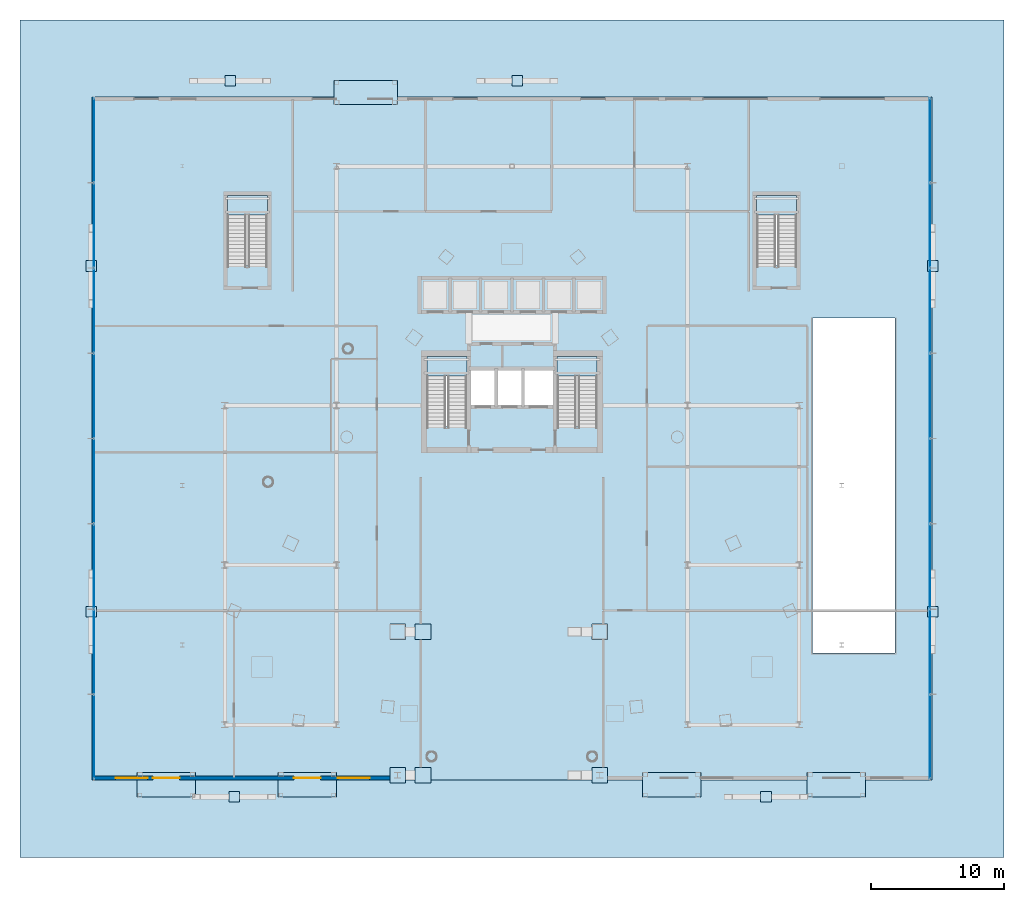
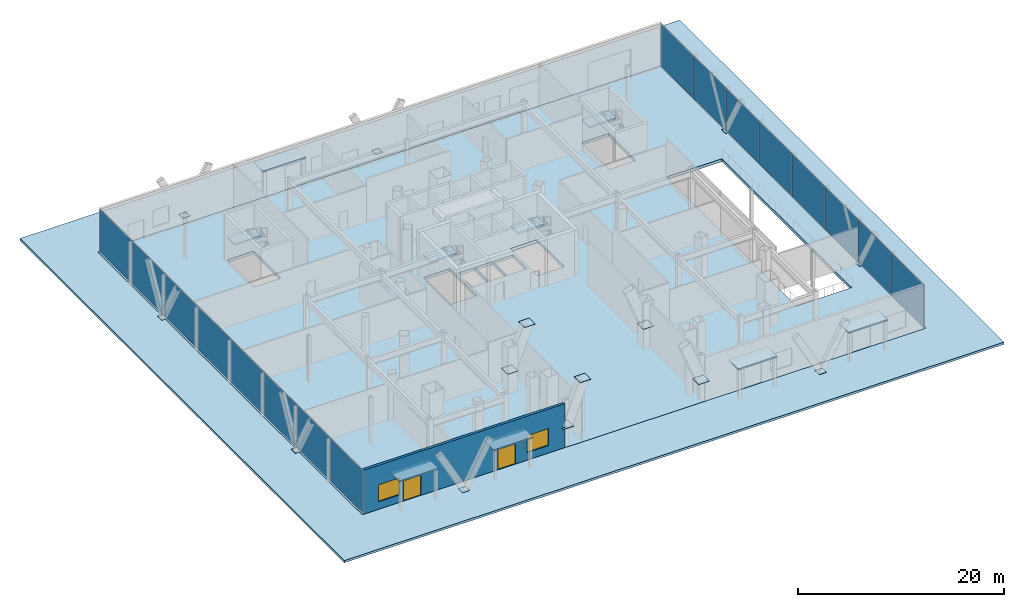
# One storey, part 26 of 38: 30 plates, 11 slabs, 2 doors, 2 windows, 1 wall, 4 openings, 6 elements without a shape of their own.
"""IFC4 building model written with IfcOpenShell, lengths in metres."""

from ifc_helpers import new_model, si_unit, direction, frame, frame_2d, origin, origin_2d, place, context, subcontext, project, spatial, polyline, rectangle, outline, extrude, material, layer, layer_set, type_object, element, fill, aggregate, save


model = new_model("IFC4")

# Units and contexts
model_context = context("Model", 3, precision=1e-05, world=origin(), true_north=direction((0.0, 1.0)))
body_context = subcontext(model_context, "Body", "Model", "MODEL_VIEW")
ifc_project = project(units=[si_unit("LENGTHUNIT", "METRE"), si_unit("AREAUNIT", "SQUARE_METRE"), si_unit("VOLUMEUNIT", "CUBIC_METRE"), si_unit("PLANEANGLEUNIT", "RADIAN"), si_unit("MASSUNIT", "GRAM", prefix="KILO")], contexts=[model_context])

# Site, building, storey
site_placement = place(None, origin())
site = spatial("IfcSite", under=ifc_project, at=site_placement, CompositionType="ELEMENT")
building_placement = place(site_placement, origin())
building = spatial("IfcBuilding", under=site, at=building_placement, Name="Orvanel Arch Residences", CompositionType="ELEMENT")
storey_placement = place(building_placement, origin())
storey = spatial("IfcBuildingStorey", under=building, at=storey_placement, Name="L00", CompositionType="ELEMENT", Elevation=0.0)

# Slabs
ifc_material_1 = material(Name="Bronze-anodised aluminium AA6063-T6", Category="aluminium")
ifc_layer_1 = layer(ifc_material_1, 0.179931640625)
ifc_layer_set_1 = layer_set([ifc_layer_1], Name="Bronze-anodised aluminium AA6063-T6")
slab_type_1 = type_object("IfcSlabType", Name="CNP-BRZ-180", PredefinedType="ROOF", material=ifc_layer_set_1)
slab_1_placement = place(storey_placement, frame((0.0, 0.0, 3.39990234375)))
element("IfcSlab", 1, at=slab_1_placement, inside=storey, type_object=slab_type_1, Name="L00 Entrance Bronze Weather Canopy 01", PredefinedType="ROOF", context=body_context, shape_type="SweptSolid", body=[
    extrude(outline(polyline([(4.800048828125, 0.550048828125), (9.199951171875, 0.550048828125), (9.199951171875, 2.39990234375), (4.800048828125, 2.39990234375), (4.800048828125, 0.550048828125)])), origin(), (0.0, 0.0, 1.0), 0.18017578125),
])
slab_2_placement = place(storey_placement, frame((0.0, 0.0, 3.39990234375)))
element("IfcSlab", 2, at=slab_2_placement, inside=storey, type_object=slab_type_1, Name="L00 Entrance Bronze Weather Canopy 02", PredefinedType="ROOF", context=body_context, shape_type="SweptSolid", body=[
    extrude(outline(polyline([(15.39990234375, 0.550048828125), (19.800048828125, 0.550048828125), (19.800048828125, 2.39990234375), (15.39990234375, 2.39990234375), (15.39990234375, 0.550048828125)])), origin(), (0.0, 0.0, 1.0), 0.18017578125),
])
slab_3_placement = place(storey_placement, frame((0.0, 0.0, 3.39990234375)))
element("IfcSlab", 3, at=slab_3_placement, inside=storey, type_object=slab_type_1, Name="L00 Entrance Bronze Weather Canopy 03", PredefinedType="ROOF", context=body_context, shape_type="SweptSolid", body=[
    extrude(outline(polyline([(42.800048828125, 0.550048828125), (47.199951171875, 0.550048828125), (47.199951171875, 2.39990234375), (42.800048828125, 2.39990234375), (42.800048828125, 0.550048828125)])), origin(), (0.0, 0.0, 1.0), 0.18017578125),
])
slab_4_placement = place(storey_placement, frame((0.0, 0.0, 3.39990234375)))
element("IfcSlab", 4, at=slab_4_placement, inside=storey, type_object=slab_type_1, Name="L00 Entrance Bronze Weather Canopy 04", PredefinedType="ROOF", context=body_context, shape_type="SweptSolid", body=[
    extrude(outline(polyline([(55.199951171875, 0.550048828125), (59.60009765625, 0.550048828125), (59.60009765625, 2.39990234375), (55.199951171875, 2.39990234375), (55.199951171875, 0.550048828125)])), origin(), (0.0, 0.0, 1.0), 0.18017578125),
])
slab_5_placement = place(storey_placement, frame((0.0, 0.0, 3.39990234375)))
element("IfcSlab", 5, at=slab_5_placement, inside=storey, type_object=slab_type_1, Name="L00 Entrance Bronze Weather Canopy 05", PredefinedType="ROOF", context=body_context, shape_type="SweptSolid", body=[
    extrude(outline(polyline([(19.60009765625, 52.64990234375), (24.39990234375, 52.64990234375), (24.39990234375, 54.449951171875), (19.60009765625, 54.449951171875), (19.60009765625, 52.64990234375)])), origin(), (0.0, 0.0, 1.0), 0.18017578125),
])

# Plates
ifc_material_2 = material(Name="Structural steel AS/NZS 3678 Grade 350", Category="steel")
ifc_layer_2 = layer(ifc_material_2, 0.028076171875)
ifc_layer_set_2 = layer_set([ifc_layer_2], Name="Structural steel AS/NZS 3678 Grade 350")
plate_type_1 = type_object("IfcPlateType", Name="PL-CAP-28", PredefinedType="SHEET", material=ifc_layer_set_2)
for number, where, z_axis, x_axis, name in (
    (6, (24.39990234375, 13.0, 2.3857421875), (0.0, 0.0, 1.0), (1.0, 0.0, 0.0), "L00 hollow member end cap plate"),
    (7, (26.300048828125, 13.0, 7.26416015625), (0.0, 0.0, 1.0), (1.0, 0.0, 0.0), "L00 hollow member end cap plate"),
    (8, (39.60009765625, 13.0, 2.3857421875), (0.0, 0.0, 1.0), (1.0, 0.0, 0.0), "L00 hollow member end cap plate"),
):
    element("IfcPlate", number, at=place(storey_placement, frame(where, z_axis=z_axis, x_axis=x_axis)), inside=storey, type_object=plate_type_1, Name=name, PredefinedType="SHEET", context=body_context, shape_type="SweptSolid", body=[
        extrude(rectangle(XDim=1.179931640625, YDim=1.179931640625, at=origin_2d()), origin(), (0.0, 0.0, 1.0), 0.028076171875),
    ])
ifc_layer_3 = layer(ifc_material_2, 0.031982421875)
ifc_layer_set_3 = layer_set([ifc_layer_3], Name="Structural steel AS/NZS 3678 Grade 350")
plate_type_2 = type_object("IfcPlateType", Name="PL-CAP-32", PredefinedType="SHEET", material=ifc_layer_set_3)
for number, where, z_axis, x_axis, name in (
    (9, (24.39990234375, 2.199951171875, 2.3837890625), (0.0, 0.0, 1.0), (1.0, 0.0, 0.0), "L00 hollow member end cap plate"),
    (10, (26.300048828125, 2.199951171875, 7.26220703125), (0.0, 0.0, 1.0), (1.0, 0.0, 0.0), "L00 hollow member end cap plate"),
    (11, (39.60009765625, 2.199951171875, 2.3837890625), (0.0, 0.0, 1.0), (1.0, 0.0, 0.0), "L00 hollow member end cap plate"),
):
    element("IfcPlate", number, at=place(storey_placement, frame(where, z_axis=z_axis, x_axis=x_axis)), inside=storey, type_object=plate_type_2, Name=name, PredefinedType="SHEET", context=body_context, shape_type="SweptSolid", body=[
        extrude(rectangle(XDim=1.179931640625, YDim=1.179931640625, at=origin_2d()), origin(), (0.0, 0.0, 1.0), 0.031982421875),
    ])
for number, where, z_axis, x_axis, name in (
    (12, (12.10009765625, 0.580078125, -0.01611328125), (0.0, 0.0, 1.0), (1.0, 0.0, 0.0), "L00 hollow member end cap plate"),
    (13, (52.10009765625, 0.580078125, -0.01611328125), (0.0, 0.0, 1.0), (1.0, 0.0, 0.0), "L00 hollow member end cap plate"),
    (14, (1.360107421875, 14.5, -0.01611328125), (0.0, 0.0, 1.0), (0.0, 1.0, 0.0), "L00 hollow member end cap plate"),
    (15, (1.360107421875, 40.5, -0.01611328125), (0.0, 0.0, 1.0), (0.0, 1.0, 0.0), "L00 hollow member end cap plate"),
    (16, (64.639892578125, 14.5, -0.01611328125), (0.0, 0.0, 1.0), (0.0, 1.0, 0.0), "L00 hollow member end cap plate"),
    (17, (64.639892578125, 40.5, -0.01611328125), (0.0, 0.0, 1.0), (0.0, 1.0, 0.0), "L00 hollow member end cap plate"),
    (18, (11.800048828125, 54.419921875, -0.01611328125), (0.0, 0.0, 1.0), (1.0, 0.0, 0.0), "L00 hollow member end cap plate"),
    (19, (33.39990234375, 54.419921875, -0.01611328125), (0.0, 0.0, 1.0), (1.0, 0.0, 0.0), "L00 hollow member end cap plate"),
):
    element("IfcPlate", number, at=place(storey_placement, frame(where, z_axis=z_axis, x_axis=x_axis)), inside=storey, type_object=plate_type_2, Name=name, PredefinedType="SHEET", context=body_context, shape_type="SweptSolid", body=[
        extrude(rectangle(XDim=0.800048828125, YDim=0.800048828125, at=origin_2d()), origin(), (0.0, 0.0, 1.0), 0.031982421875),
    ])

# Curtain wall, plates
ifc_layer_4 = layer(ifc_material_1, 0.199951171875)
ifc_layer_set_4 = layer_set([ifc_layer_4], Name="Bronze-anodised aluminium AA6063-T6")
curtain_wall_type = type_object("IfcCurtainWallType", Name="CW1-POD-SYS", PredefinedType="NOTDEFINED", material=ifc_layer_set_4)
curtain_wall_1_placement = place(storey_placement, origin())
curtain_wall_1 = element("IfcCurtainWall", 20, at=curtain_wall_1_placement, inside=storey, type_object=curtain_wall_type, Name="L00 CW1-POD-SYS Unitised Curtain Wall", PredefinedType="NOTDEFINED")
ifc_material_3 = material(Name="Double-glazed solar-control low-E safety glass", Category="glass")
ifc_layer_5 = layer(ifc_material_3, 0.031982421875)
ifc_layer_set_5 = layer_set([ifc_layer_5], Name="Double-glazed solar-control low-E safety glass")
plate_type_3 = type_object("IfcPlateType", Name="PNL-GLZ-32", PredefinedType="CURTAIN_PANEL", material=ifc_layer_set_5)
plate_1_placement = place(storey_placement, frame((64.449951171875, 5.095703125, 0.06494140625), z_axis=(0.0, 0.0, 1.0), x_axis=(0.0, 1.0, 0.0)))
plate_1 = element("IfcPlate", 21, at=plate_1_placement, type_object=plate_type_3, Name="CW-S1 panel 1.1", PredefinedType="CURTAIN_PANEL", context=body_context, shape_type="SweptSolid", body=[
    extrude(rectangle(XDim=6.30126953125, YDim=0.031982421875, at=origin_2d()), origin(), (0.0, 0.0, 1.0), 5.090087890625),
])
plate_2_placement = place(storey_placement, frame((64.449951171875, 11.49072265625, 0.06494140625), z_axis=(0.0, 0.0, 1.0), x_axis=(0.0, 1.0, 0.0)))
plate_2 = element("IfcPlate", 22, at=plate_2_placement, type_object=plate_type_3, Name="CW-S1 panel 2.1", PredefinedType="CURTAIN_PANEL", context=body_context, shape_type="SweptSolid", body=[
    extrude(rectangle(XDim=6.3388671875, YDim=0.031982421875, at=origin_2d()), origin(), (0.0, 0.0, 1.0), 5.090087890625),
])
plate_3_placement = place(storey_placement, frame((64.449951171875, 17.904296875, 0.06494140625), z_axis=(0.0, 0.0, 1.0), x_axis=(0.0, 1.0, 0.0)))
plate_3 = element("IfcPlate", 23, at=plate_3_placement, type_object=plate_type_3, Name="CW-S1 panel 3.1", PredefinedType="CURTAIN_PANEL", context=body_context, shape_type="SweptSolid", body=[
    extrude(rectangle(XDim=6.3388671875, YDim=0.031982421875, at=origin_2d()), origin(), (0.0, 0.0, 1.0), 5.090087890625),
])
plate_4_placement = place(storey_placement, frame((64.449951171875, 24.318115234375, 0.06494140625), z_axis=(0.0, 0.0, 1.0), x_axis=(0.0, 1.0, 0.0)))
plate_4 = element("IfcPlate", 24, at=plate_4_placement, type_object=plate_type_3, Name="CW-S1 panel 4.1", PredefinedType="CURTAIN_PANEL", context=body_context, shape_type="SweptSolid", body=[
    extrude(rectangle(XDim=6.3388671875, YDim=0.031982421875, at=origin_2d()), origin(), (0.0, 0.0, 1.0), 5.090087890625),
])
plate_5_placement = place(storey_placement, frame((64.449951171875, 30.73193359375, 0.06494140625), z_axis=(0.0, 0.0, 1.0), x_axis=(0.0, 1.0, 0.0)))
plate_5 = element("IfcPlate", 25, at=plate_5_placement, type_object=plate_type_3, Name="CW-S1 panel 5.1", PredefinedType="CURTAIN_PANEL", context=body_context, shape_type="SweptSolid", body=[
    extrude(rectangle(XDim=6.3388671875, YDim=0.031982421875, at=origin_2d()), origin(), (0.0, 0.0, 1.0), 5.090087890625),
])
plate_6_placement = place(storey_placement, frame((64.449951171875, 37.1455078125, 0.06494140625), z_axis=(0.0, 0.0, 1.0), x_axis=(0.0, 1.0, 0.0)))
plate_6 = element("IfcPlate", 26, at=plate_6_placement, type_object=plate_type_3, Name="CW-S1 panel 6.1", PredefinedType="CURTAIN_PANEL", context=body_context, shape_type="SweptSolid", body=[
    extrude(rectangle(XDim=6.3388671875, YDim=0.031982421875, at=origin_2d()), origin(), (0.0, 0.0, 1.0), 5.090087890625),
])
plate_7_placement = place(storey_placement, frame((64.449951171875, 43.559326171875, 0.06494140625), z_axis=(0.0, 0.0, 1.0), x_axis=(0.0, 1.0, 0.0)))
plate_7 = element("IfcPlate", 27, at=plate_7_placement, type_object=plate_type_3, Name="CW-S1 panel 7.1", PredefinedType="CURTAIN_PANEL", context=body_context, shape_type="SweptSolid", body=[
    extrude(rectangle(XDim=6.3388671875, YDim=0.031982421875, at=origin_2d()), origin(), (0.0, 0.0, 1.0), 5.090087890625),
])
plate_8_placement = place(storey_placement, frame((64.449951171875, 49.954345703125, 0.06494140625), z_axis=(0.0, 0.0, 1.0), x_axis=(0.0, 1.0, 0.0)))
plate_8 = element("IfcPlate", 28, at=plate_8_placement, type_object=plate_type_3, Name="CW-S1 panel 8.1", PredefinedType="CURTAIN_PANEL", context=body_context, shape_type="SweptSolid", body=[
    extrude(rectangle(XDim=6.30126953125, YDim=0.031982421875, at=origin_2d()), origin(), (0.0, 0.0, 1.0), 5.090087890625),
])
aggregate(curtain_wall_1, [plate_1, plate_2, plate_3, plate_4, plate_5, plate_6, plate_7, plate_8])

curtain_wall_2_placement = place(storey_placement, origin())
curtain_wall_2 = element("IfcCurtainWall", 29, at=curtain_wall_2_placement, inside=storey, type_object=curtain_wall_type, Name="L00 CW1-POD-SYS Unitised Curtain Wall", PredefinedType="NOTDEFINED")
plate_9_placement = place(storey_placement, frame((1.550048828125, 49.954345703125, 0.06494140625), z_axis=(0.0, 0.0, 1.0), x_axis=(0.0, -1.0, 0.0)))
plate_9 = element("IfcPlate", 30, at=plate_9_placement, type_object=plate_type_3, Name="CW-S1 panel 1.1", PredefinedType="CURTAIN_PANEL", context=body_context, shape_type="SweptSolid", body=[
    extrude(rectangle(XDim=6.30126953125, YDim=0.031982421875, at=origin_2d()), origin(), (0.0, 0.0, 1.0), 5.090087890625),
])
plate_10_placement = place(storey_placement, frame((1.550048828125, 43.559326171875, 0.06494140625), z_axis=(0.0, 0.0, 1.0), x_axis=(0.0, -1.0, 0.0)))
plate_10 = element("IfcPlate", 31, at=plate_10_placement, type_object=plate_type_3, Name="CW-S1 panel 2.1", PredefinedType="CURTAIN_PANEL", context=body_context, shape_type="SweptSolid", body=[
    extrude(rectangle(XDim=6.3388671875, YDim=0.031982421875, at=origin_2d()), origin(), (0.0, 0.0, 1.0), 5.090087890625),
])
plate_11_placement = place(storey_placement, frame((1.550048828125, 37.1455078125, 0.06494140625), z_axis=(0.0, 0.0, 1.0), x_axis=(0.0, -1.0, 0.0)))
plate_11 = element("IfcPlate", 32, at=plate_11_placement, type_object=plate_type_3, Name="CW-S1 panel 3.1", PredefinedType="CURTAIN_PANEL", context=body_context, shape_type="SweptSolid", body=[
    extrude(rectangle(XDim=6.3388671875, YDim=0.031982421875, at=origin_2d()), origin(), (0.0, 0.0, 1.0), 5.090087890625),
])
plate_12_placement = place(storey_placement, frame((1.550048828125, 30.73193359375, 0.06494140625), z_axis=(0.0, 0.0, 1.0), x_axis=(0.0, -1.0, 0.0)))
plate_12 = element("IfcPlate", 33, at=plate_12_placement, type_object=plate_type_3, Name="CW-S1 panel 4.1", PredefinedType="CURTAIN_PANEL", context=body_context, shape_type="SweptSolid", body=[
    extrude(rectangle(XDim=6.3388671875, YDim=0.031982421875, at=origin_2d()), origin(), (0.0, 0.0, 1.0), 5.090087890625),
])
plate_13_placement = place(storey_placement, frame((1.550048828125, 24.318115234375, 0.06494140625), z_axis=(0.0, 0.0, 1.0), x_axis=(0.0, -1.0, 0.0)))
plate_13 = element("IfcPlate", 34, at=plate_13_placement, type_object=plate_type_3, Name="CW-S1 panel 5.1", PredefinedType="CURTAIN_PANEL", context=body_context, shape_type="SweptSolid", body=[
    extrude(rectangle(XDim=6.3388671875, YDim=0.031982421875, at=origin_2d()), origin(), (0.0, 0.0, 1.0), 5.090087890625),
])
plate_14_placement = place(storey_placement, frame((1.550048828125, 17.904296875, 0.06494140625), z_axis=(0.0, 0.0, 1.0), x_axis=(0.0, -1.0, 0.0)))
plate_14 = element("IfcPlate", 35, at=plate_14_placement, type_object=plate_type_3, Name="CW-S1 panel 6.1", PredefinedType="CURTAIN_PANEL", context=body_context, shape_type="SweptSolid", body=[
    extrude(rectangle(XDim=6.3388671875, YDim=0.031982421875, at=origin_2d()), origin(), (0.0, 0.0, 1.0), 5.090087890625),
])
plate_15_placement = place(storey_placement, frame((1.550048828125, 11.49072265625, 0.06494140625), z_axis=(0.0, 0.0, 1.0), x_axis=(0.0, -1.0, 0.0)))
plate_15 = element("IfcPlate", 36, at=plate_15_placement, type_object=plate_type_3, Name="CW-S1 panel 7.1", PredefinedType="CURTAIN_PANEL", context=body_context, shape_type="SweptSolid", body=[
    extrude(rectangle(XDim=6.3388671875, YDim=0.031982421875, at=origin_2d()), origin(), (0.0, 0.0, 1.0), 5.090087890625),
])
plate_16_placement = place(storey_placement, frame((1.550048828125, 5.095703125, 0.06494140625), z_axis=(0.0, 0.0, 1.0), x_axis=(0.0, -1.0, 0.0)))
plate_16 = element("IfcPlate", 37, at=plate_16_placement, type_object=plate_type_3, Name="CW-S1 panel 8.1", PredefinedType="CURTAIN_PANEL", context=body_context, shape_type="SweptSolid", body=[
    extrude(rectangle(XDim=6.30126953125, YDim=0.031982421875, at=origin_2d()), origin(), (0.0, 0.0, 1.0), 5.090087890625),
])
aggregate(curtain_wall_2, [plate_9, plate_10, plate_11, plate_12, plate_13, plate_14, plate_15, plate_16])

# Slabs
ifc_material_4 = material(Name="Exfoliated Harcourt grey granite paving", Category="masonry")
ifc_layer_6 = layer(ifc_material_4, 0.260009765625)
ifc_layer_set_6 = layer_set([ifc_layer_6], Name="Exfoliated Harcourt grey granite paving")
slab_type_2 = type_object("IfcSlabType", Name="SLB-APRON-260", PredefinedType="USERDEFINED", material=ifc_layer_set_6)
slab_6_placement = place(storey_placement, frame((0.0, 0.0, -0.260009765625)))
element("IfcSlab", 38, at=slab_6_placement, inside=storey, type_object=slab_type_2, Name="L00 Exterior Forecourt Granite Plaza Paving Slab", ObjectType="PAVING", PredefinedType="USERDEFINED", context=body_context, shape_type="SweptSolid", body=[
    extrude(outline(polyline([(-4.0, -4.0), (70.0, -4.0), (70.0, 59.0), (-4.0, 59.0), (-4.0, -4.0)]), holes=[polyline([(1.39990234375, 53.199951171875), (64.60009765625, 53.199951171875), (64.60009765625, 1.85009765625), (1.39990234375, 1.85009765625), (1.39990234375, 53.199951171875)])]), origin(), (0.0, 0.0, 1.0), 0.260009765625),
])
ifc_material_5 = material(Name="Concrete N40 (40 MPa)", Category="concrete")
ifc_layer_7 = layer(ifc_material_5, 0.35009765625)
ifc_layer_set_7 = layer_set([ifc_layer_7], Name="Concrete N40 (40 MPa)")
slab_type_3 = type_object("IfcSlabType", Name="SLB-GND-350", PredefinedType="FLOOR", material=ifc_layer_set_7)
slab_7_placement = place(storey_placement, frame((0.0, 0.0, -0.35009765625)))
element("IfcSlab", 39, at=slab_7_placement, inside=storey, type_object=slab_type_3, Name="L00 Ground Podium Structural Floor Slab", PredefinedType="FLOOR", context=body_context, shape_type="SweptSolid", body=[
    extrude(outline(polyline([(1.39990234375, 1.85009765625), (64.60009765625, 1.85009765625), (64.60009765625, 53.199951171875), (1.39990234375, 53.199951171875), (1.39990234375, 1.85009765625)]), holes=[polyline([(26.60009765625, 28.429931640625), (26.60009765625, 33.699951171875), (29.60009765625, 33.699951171875), (29.60009765625, 28.429931640625), (26.60009765625, 28.429931640625)]), polyline([(36.39990234375, 28.429931640625), (36.39990234375, 33.699951171875), (39.39990234375, 33.699951171875), (39.39990234375, 28.429931640625), (36.39990234375, 28.429931640625)]), polyline([(11.60009765625, 40.530029296875), (11.60009765625, 45.800048828125), (14.60009765625, 45.800048828125), (14.60009765625, 40.530029296875), (11.60009765625, 40.530029296875)]), polyline([(51.39990234375, 40.530029296875), (51.39990234375, 45.800048828125), (54.39990234375, 45.800048828125), (54.39990234375, 40.530029296875), (51.39990234375, 40.530029296875)]), polyline([(29.89990234375, 32.64990234375), (31.75, 32.64990234375), (31.75, 29.949951171875), (29.89990234375, 29.949951171875), (29.89990234375, 32.64990234375)]), polyline([(31.89990234375, 32.64990234375), (33.75, 32.64990234375), (33.75, 29.949951171875), (31.89990234375, 29.949951171875), (31.89990234375, 32.64990234375)]), polyline([(33.89990234375, 32.64990234375), (36.10009765625, 32.64990234375), (36.10009765625, 29.949951171875), (33.89990234375, 29.949951171875), (33.89990234375, 32.64990234375)]), polyline([(55.60009765625, 36.60009765625), (61.800048828125, 36.60009765625), (61.800048828125, 11.39990234375), (55.60009765625, 11.39990234375), (55.60009765625, 36.60009765625)])]), origin(), (0.0, 0.0, 1.0), 0.35009765625),
])

# Stair, slab
ifc_material_6 = material(Name="Precast concrete N50 (50 MPa)", Category="concrete")
stair_type = type_object("IfcStairType", Name="STR-DOG-184", PredefinedType="USERDEFINED", material=ifc_material_6)
stair_1_placement = place(storey_placement, origin())
stair_1 = element("IfcStair", 40, at=stair_1_placement, inside=storey, type_object=stair_type, Name="L00 Fire-Isolated Core Exit Stair 1", ObjectType="TWO_RETURN_STAIR", PredefinedType="USERDEFINED")
ifc_layer_8 = layer(ifc_material_5, 0.199951171875)
ifc_layer_set_8 = layer_set([ifc_layer_8], Name="Concrete N40 (40 MPa)")
slab_type_4 = type_object("IfcSlabType", Name="SLB-LND-200", PredefinedType="LANDING", material=ifc_layer_set_8)
slab_8_placement = place(storey_placement, frame((0.0, 0.0, 2.550048828125)))
slab_8 = element("IfcSlab", 41, at=slab_8_placement, type_object=slab_type_4, Name="ST-1 landing 1", PredefinedType="LANDING", context=body_context, shape_type="SweptSolid", body=[
    extrude(outline(polyline([(29.60009765625, 32.239990234375), (29.60009765625, 33.699951171875), (26.60009765625, 33.699951171875), (26.60009765625, 32.239990234375), (29.60009765625, 32.239990234375)])), origin(), (0.0, 0.0, 1.0), 0.199951171875),
])
aggregate(stair_1, [slab_8])

stair_2_placement = place(storey_placement, origin())
stair_2 = element("IfcStair", 42, at=stair_2_placement, inside=storey, type_object=stair_type, Name="L00 Fire-Isolated Core Exit Stair 2", ObjectType="TWO_RETURN_STAIR", PredefinedType="USERDEFINED")
slab_9_placement = place(storey_placement, frame((0.0, 0.0, 2.550048828125)))
slab_9 = element("IfcSlab", 43, at=slab_9_placement, type_object=slab_type_4, Name="ST-2 landing 1", PredefinedType="LANDING", context=body_context, shape_type="SweptSolid", body=[
    extrude(outline(polyline([(39.39990234375, 32.239990234375), (39.39990234375, 33.699951171875), (36.39990234375, 33.699951171875), (36.39990234375, 32.239990234375), (39.39990234375, 32.239990234375)])), origin(), (0.0, 0.0, 1.0), 0.199951171875),
])
aggregate(stair_2, [slab_9])

stair_3_placement = place(storey_placement, origin())
stair_3 = element("IfcStair", 44, at=stair_3_placement, inside=storey, type_object=stair_type, Name="L00 West Podium Fire-Isolated Exit Stair 3", ObjectType="TWO_RETURN_STAIR", PredefinedType="USERDEFINED")
slab_10_placement = place(storey_placement, frame((0.0, 0.0, 2.550048828125)))
slab_10 = element("IfcSlab", 45, at=slab_10_placement, type_object=slab_type_4, Name="ST-3 landing 1", PredefinedType="LANDING", context=body_context, shape_type="SweptSolid", body=[
    extrude(outline(polyline([(14.60009765625, 44.340087890625), (14.60009765625, 45.800048828125), (11.60009765625, 45.800048828125), (11.60009765625, 44.340087890625), (14.60009765625, 44.340087890625)])), origin(), (0.0, 0.0, 1.0), 0.199951171875),
])
aggregate(stair_3, [slab_10])

stair_4_placement = place(storey_placement, origin())
stair_4 = element("IfcStair", 46, at=stair_4_placement, inside=storey, type_object=stair_type, Name="L00 East Podium Fire-Isolated Exit Stair 4", ObjectType="TWO_RETURN_STAIR", PredefinedType="USERDEFINED")
slab_11_placement = place(storey_placement, frame((0.0, 0.0, 2.550048828125)))
slab_11 = element("IfcSlab", 47, at=slab_11_placement, type_object=slab_type_4, Name="ST-4 landing 1", PredefinedType="LANDING", context=body_context, shape_type="SweptSolid", body=[
    extrude(outline(polyline([(54.39990234375, 44.340087890625), (54.39990234375, 45.800048828125), (51.39990234375, 45.800048828125), (51.39990234375, 44.340087890625), (54.39990234375, 44.340087890625)])), origin(), (0.0, 0.0, 1.0), 0.199951171875),
])
aggregate(stair_4, [slab_11])

# Wall, openings, doors, windows
ifc_layer_9 = layer(ifc_material_6, 0.280029296875)
ifc_layer_set_9 = layer_set([ifc_layer_9], Name="Precast concrete N50 (50 MPa)")
wall_type = type_object("IfcWallType", Name="EW-POD-280", PredefinedType="SOLIDWALL", material=ifc_layer_set_9)
wall_placement = place(storey_placement, frame((24.14501953125, 1.989990234375, 0.0), z_axis=(0.0, 0.0, 1.0), x_axis=(-1.0, 0.0, 0.0)))
wall = element("IfcWall", 48, at=wall_placement, inside=storey, type_object=wall_type, Name="L00 South-West Retail Streetfront Wall", PredefinedType="SOLIDWALL", context=body_context, shape_type="SweptSolid", body=[
    extrude(rectangle(XDim=22.5849609375, YDim=0.280029296875, at=frame_2d((11.29248046875, 0.0))), origin(), (0.0, 0.0, 1.0), 5.219970703125),
])
opening_1_placement = place(wall_placement, frame((5.544921875, 0.0, 0.0)))
opening_1 = element("IfcOpeningElement", 49, at=opening_1_placement, cuts=wall, Name="Opening DE-200", PredefinedType="OPENING", context=body_context, shape_type="SweptSolid", body=[
    extrude(rectangle(XDim=2.0, YDim=2.39990234375, at=frame_2d((1.0, 1.199951171875))), frame((0.0, 0.14990234375, 0.0), z_axis=(0.0, -1.0, 0.0), x_axis=(1.0, 0.0, 0.0)), (0.0, 0.0, 1.0), 0.300048828125),
])
opening_2_placement = place(wall_placement, frame((16.14501953125, 0.0, 0.0)))
opening_2 = element("IfcOpeningElement", 50, at=opening_2_placement, cuts=wall, Name="Opening DE-200", PredefinedType="OPENING", context=body_context, shape_type="SweptSolid", body=[
    extrude(rectangle(XDim=2.0, YDim=2.39990234375, at=frame_2d((1.0, 1.199951171875))), frame((0.0, 0.14990234375, 0.0), z_axis=(0.0, -1.0, 0.0), x_axis=(1.0, 0.0, 0.0)), (0.0, 0.0, 1.0), 0.300048828125),
])
opening_3_placement = place(wall_placement, frame((1.844970703125, 0.0, 0.89990234375)))
opening_3 = element("IfcOpeningElement", 51, at=opening_3_placement, cuts=wall, Name="Opening W-02", PredefinedType="OPENING", context=body_context, shape_type="SweptSolid", body=[
    extrude(rectangle(XDim=2.39990234375, YDim=2.0, at=frame_2d((1.199951171875, 1.0))), frame((0.0, 0.14990234375, 0.0), z_axis=(0.0, -1.0, 0.0), x_axis=(1.0, 0.0, 0.0)), (0.0, 0.0, 1.0), 0.300048828125),
])
opening_4_placement = place(wall_placement, frame((18.544921875, 0.0, 0.89990234375)))
opening_4 = element("IfcOpeningElement", 52, at=opening_4_placement, cuts=wall, Name="Opening W-02", PredefinedType="OPENING", context=body_context, shape_type="SweptSolid", body=[
    extrude(rectangle(XDim=2.39990234375, YDim=2.0, at=frame_2d((1.199951171875, 1.0))), frame((0.0, 0.14990234375, 0.0), z_axis=(0.0, -1.0, 0.0), x_axis=(1.0, 0.0, 0.0)), (0.0, 0.0, 1.0), 0.300048828125),
])
door_type = type_object("IfcDoorType", Name="DR-ENT-2000", OperationType="NOTDEFINED", PredefinedType="DOOR", material=ifc_material_1)
door_1_placement = place(opening_1_placement, origin())
door_1 = element("IfcDoor", 53, at=door_1_placement, inside=storey, type_object=door_type, Name="DR-L00-ENT-SW1 L00 Tower Residential Concierge Entrance Door", OperationType="DOUBLE_DOOR_SINGLE_SWING", OverallHeight=2.39990234375, OverallWidth=2.0, PredefinedType="DOOR", context=body_context, shape_type="SweptSolid", body=[
    extrude(rectangle(XDim=2.0, YDim=2.39990234375, at=frame_2d((1.0, 1.199951171875))), frame((0.0, 0.02490234375, 0.0), z_axis=(0.0, -1.0, 0.0), x_axis=(1.0, 0.0, 0.0)), (0.0, 0.0, 1.0), 0.050048828125),
])
fill(opening_1, door_1)
door_2_placement = place(opening_2_placement, origin())
door_2 = element("IfcDoor", 54, at=door_2_placement, inside=storey, type_object=door_type, Name="DR-L00-ENT-SW2 L00 South-West Retail Street Entrance Door", OperationType="DOUBLE_DOOR_SINGLE_SWING", OverallHeight=2.39990234375, OverallWidth=2.0, PredefinedType="DOOR", context=body_context, shape_type="SweptSolid", body=[
    extrude(rectangle(XDim=2.0, YDim=2.39990234375, at=frame_2d((1.0, 1.199951171875))), frame((0.0, 0.02490234375, 0.0), z_axis=(0.0, -1.0, 0.0), x_axis=(1.0, 0.0, 0.0)), (0.0, 0.0, 1.0), 0.050048828125),
])
fill(opening_2, door_2)
window_type = type_object("IfcWindowType", Name="WIN-POD-2400", PartitioningType="SINGLE_PANEL", PredefinedType="WINDOW", material=ifc_material_3)
window_1_placement = place(opening_3_placement, origin())
window_1 = element("IfcWindow", 55, at=window_1_placement, inside=storey, type_object=window_type, Name="L00 South-West Shopfront Window 1", OverallHeight=2.0, OverallWidth=2.39990234375, PartitioningType="SINGLE_PANEL", PredefinedType="WINDOW", context=body_context, shape_type="SweptSolid", body=[
    extrude(rectangle(XDim=2.39990234375, YDim=2.0, at=frame_2d((1.199951171875, 1.0))), frame((0.0, 0.030029296875, 0.0), z_axis=(0.0, -1.0, 0.0), x_axis=(1.0, 0.0, 0.0)), (0.0, 0.0, 1.0), 0.06005859375),
])
fill(opening_3, window_1)
window_2_placement = place(opening_4_placement, origin())
window_2 = element("IfcWindow", 56, at=window_2_placement, inside=storey, type_object=window_type, Name="L00 South-West Shopfront Window 2", OverallHeight=2.0, OverallWidth=2.39990234375, PartitioningType="SINGLE_PANEL", PredefinedType="WINDOW", context=body_context, shape_type="SweptSolid", body=[
    extrude(rectangle(XDim=2.39990234375, YDim=2.0, at=frame_2d((1.199951171875, 1.0))), frame((0.0, 0.030029296875, 0.0), z_axis=(0.0, -1.0, 0.0), x_axis=(1.0, 0.0, 0.0)), (0.0, 0.0, 1.0), 0.06005859375),
])
fill(opening_4, window_2)

save(model, "model.ifc")
